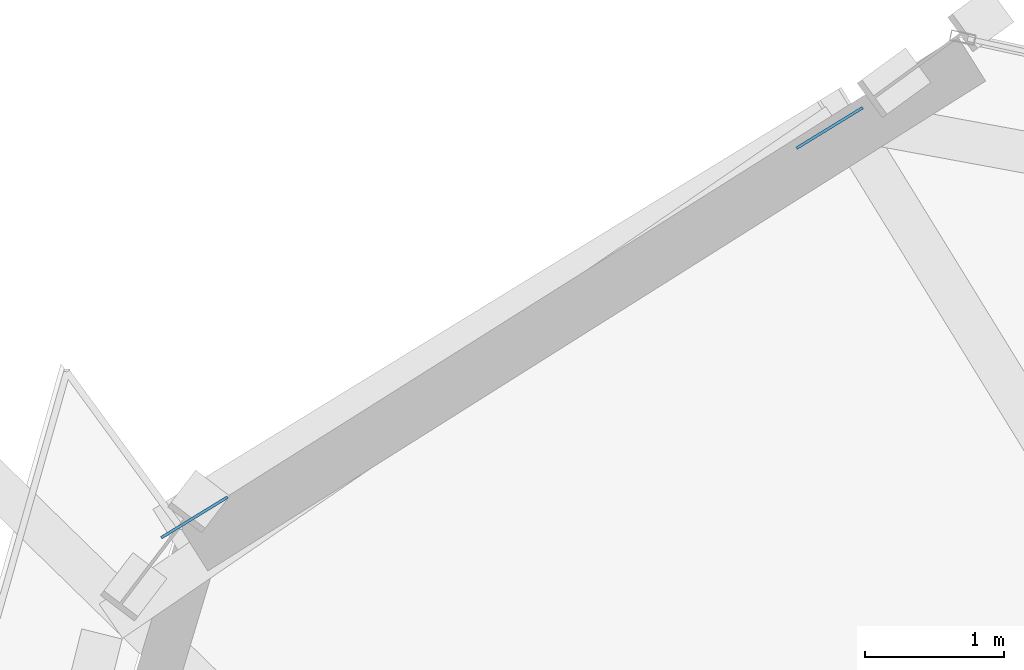
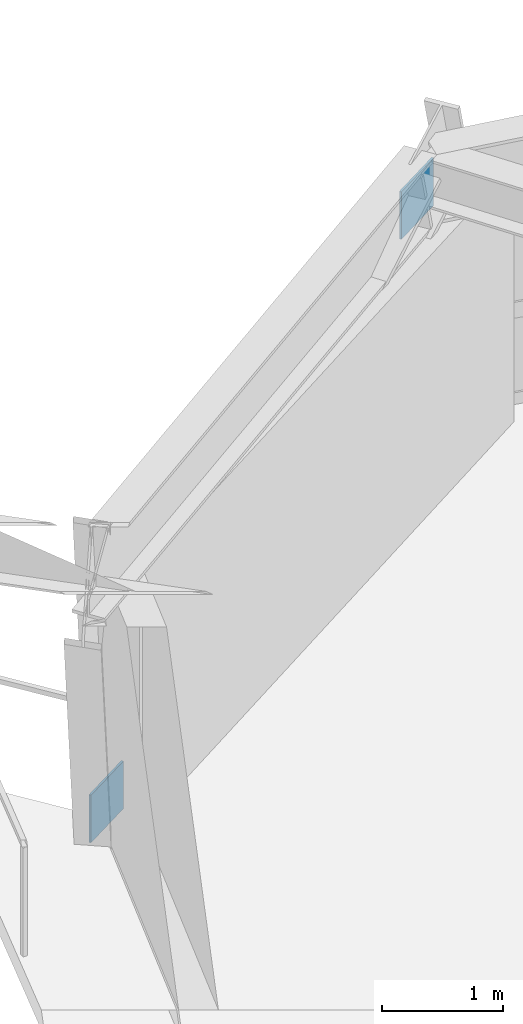
# One storey, part 15 of 21: 2 plates.
"""IFC4 building model written with IfcOpenShell, lengths in metres."""

from ifc_helpers import new_model, si_unit, direction, frame, origin, origin_2d, place, context, subcontext, project, spatial, rectangle, extrude, source, transform, mapped, material, type_object, element, save


model = new_model("IFC4")

# Units and contexts
model_context = context("Model", 3, precision=1e-05, world=origin(), true_north=direction((0.0, 1.0)))
body_context = subcontext(model_context, "Body", "Model", "MODEL_VIEW")
ifc_project = project(units=[si_unit("LENGTHUNIT", "METRE"), si_unit("AREAUNIT", "SQUARE_METRE"), si_unit("VOLUMEUNIT", "CUBIC_METRE"), si_unit("PLANEANGLEUNIT", "RADIAN"), si_unit("MASSUNIT", "GRAM", prefix="KILO")], contexts=[model_context])

# Site, building, storey
site_placement = place(None, origin())
site = spatial("IfcSite", under=ifc_project, at=site_placement, CompositionType="ELEMENT")
building_placement = place(site_placement, origin())
building = spatial("IfcBuilding", under=site, at=building_placement, Name="Olszyna Solenne Hotel", CompositionType="ELEMENT")
storey_placement = place(building_placement, frame((0.0, 0.0, 39.949951171875)))
storey = spatial("IfcBuildingStorey", under=building, at=storey_placement, Name="L09", CompositionType="ELEMENT", Elevation=39.949951171875)

# Plates
ifc_material = material(Name="Steel S355J2", Category="steel")
plate_type = type_object("IfcPlateType", Name="GP-ND2", PredefinedType="USERDEFINED", material=ifc_material)
shared_shape = source(origin(), body_context, "Body", "SweptSolid", [
    extrude(rectangle(XDim=0.56005859375, YDim=0.02001953125, at=origin_2d()), origin(), (0.0, 0.0, 1.0), 0.47998046875),
])
for number, where, z_axis, x_axis, name in (
    (1, (20.4267578125, 44.66748046875, -0.16552734375), (0.0, 0.0, 1.0), (0.852548958165, 0.522647370539, 0.0), "Brace end connection gusset plate GP-ND2 EP-BR-L09-2-1"),
    (2, (25.0087890625, 47.476806640625, 2.61083984375), (0.0, 0.0, 1.0), (0.852548958165, 0.522647370539, 0.0), "Brace end connection gusset plate GP-ND2 EP-BR-L09-2-2"),
):
    element("IfcPlate", number, at=place(storey_placement, frame(where, z_axis=z_axis, x_axis=x_axis)), inside=storey, type_object=plate_type, Name=name, ObjectType="GUSSET_PLATE", PredefinedType="USERDEFINED", context=body_context, shape_type="MappedRepresentation", body=[
        mapped(shared_shape, transform((0.0, 0.0, 0.0), x_axis=(1.0, 0.0, 0.0), y_axis=(0.0, 1.0, 0.0), z_axis=(0.0, 0.0, 1.0), scale=1.0)),
    ])

save(model, "model.ifc")
